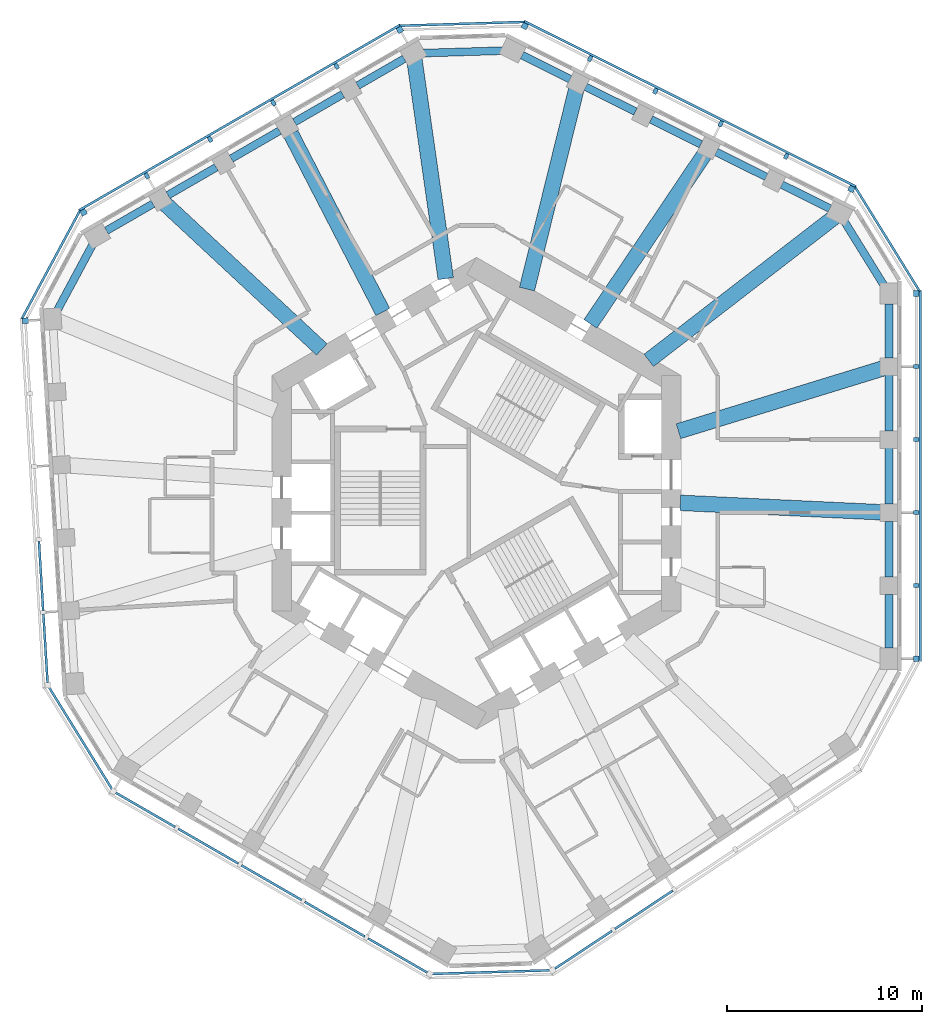
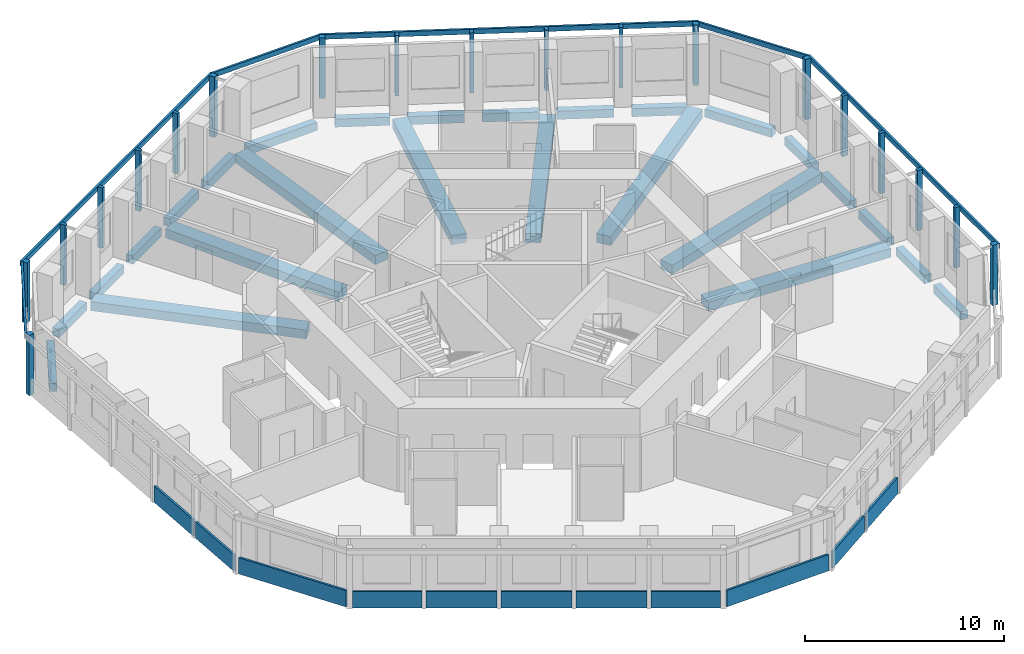
# One storey, part 2 of 11: 26 beams, 25 members, 11 plates, 11 elements without a shape of their own.
"""IFC4 building model written with IfcOpenShell, lengths in metres."""

from ifc_helpers import new_model, si_unit, direction, frame, origin, origin_2d, place, context, subcontext, project, spatial, rectangle, extrude, material, layer, layer_set, material_profile, profile_set, type_object, element, aggregate, save


model = new_model("IFC4")

# Units and contexts
model_context = context("Model", 3, precision=1e-05, world=origin(), true_north=direction((0.0, 1.0)))
body_context = subcontext(model_context, "Body", "Model", "MODEL_VIEW")
ifc_project = project(units=[si_unit("LENGTHUNIT", "METRE"), si_unit("AREAUNIT", "SQUARE_METRE"), si_unit("VOLUMEUNIT", "CUBIC_METRE"), si_unit("PLANEANGLEUNIT", "RADIAN"), si_unit("MASSUNIT", "GRAM", prefix="KILO")], contexts=[model_context])

# Site, building, storey
site_placement = place(None, origin())
site = spatial("IfcSite", under=ifc_project, at=site_placement, CompositionType="ELEMENT")
building_placement = place(site_placement, origin())
building = spatial("IfcBuilding", under=site, at=building_placement, Name="Vanh Sen Convention Tower", CompositionType="ELEMENT")
storey_placement = place(building_placement, frame((0.0, 0.0, 202.10009765625)))
storey = spatial("IfcBuildingStorey", under=building, at=storey_placement, Name="L50", CompositionType="ELEMENT", Elevation=202.10009765625)

# Curtain wall, members
ifc_material_1 = material(Name="Concrete C50/60", Category="concrete")
curtain_wall_type = type_object("IfcCurtainWallType", Name="Outer skin office zone", PredefinedType="NOTDEFINED", material=ifc_material_1)
curtain_wall_1_placement = place(storey_placement, origin())
curtain_wall_1 = element("IfcCurtainWall", 1, at=curtain_wall_1_placement, inside=storey, type_object=curtain_wall_type, Name="OUTER SKIN E L50", PredefinedType="NOTDEFINED")
ifc_material_profile_1 = material_profile(ifc_material_1, rectangle(XDim=0.300048828125, YDim=0.300048828125, at=origin_2d()), Name="Outer skin precast corner fin 300 x 300")
ifc_profile_set_1 = profile_set([ifc_material_profile_1], Name="Concrete C50/60")
member_type_1 = type_object("IfcMemberType", Name="Outer skin precast corner fin 300 x 300", PredefinedType="MULLION", material=ifc_profile_set_1)
member_1_placement = place(storey_placement, frame((22.60009765625, -8.5009765625, 0.0), z_axis=(0.0, 0.0, 1.0), x_axis=(0.0, 1.0, 0.0)))
member_1 = element("IfcMember", 2, at=member_1_placement, type_object=member_type_1, Name="OUTER SKIN CORNER FIN 1 E L50", PredefinedType="MULLION", context=body_context, shape_type="SweptSolid", body=[
    extrude(rectangle(XDim=0.300048828125, YDim=0.300048828125, at=origin_2d()), origin(), (0.0, 0.0, 1.0), 3.699951171875),
])
member_2_placement = place(storey_placement, frame((22.60009765625, 10.26953125, 0.0), z_axis=(0.0, 0.0, 1.0), x_axis=(0.0, 1.0, 0.0)))
member_2 = element("IfcMember", 3, at=member_2_placement, type_object=member_type_1, Name="OUTER SKIN CORNER FIN 6 E L50", PredefinedType="MULLION", context=body_context, shape_type="SweptSolid", body=[
    extrude(rectangle(XDim=0.300048828125, YDim=0.300048828125, at=origin_2d()), origin(), (0.0, 0.0, 1.0), 3.699951171875),
])

curtain_wall_2_placement = place(storey_placement, origin())
curtain_wall_2 = element("IfcCurtainWall", 4, at=curtain_wall_2_placement, inside=storey, type_object=curtain_wall_type, Name="OUTER SKIN NE L50", PredefinedType="NOTDEFINED")
member_3_placement = place(storey_placement, frame((19.274658203125, 15.643310546875, 0.0), z_axis=(0.0, 0.0, 1.0), x_axis=(-0.894934361602, 0.44619781311, 0.0)))
member_3 = element("IfcMember", 5, at=member_3_placement, type_object=member_type_1, Name="OUTER SKIN CORNER FIN 1 NE L50", PredefinedType="MULLION", context=body_context, shape_type="SweptSolid", body=[
    extrude(rectangle(XDim=0.300048828125, YDim=0.300048828125, at=origin_2d()), origin(), (0.0, 0.0, 1.0), 3.699951171875),
])
member_4_placement = place(storey_placement, frame((2.476318359375, 24.0185546875, 0.0), z_axis=(0.0, 0.0, 1.0), x_axis=(-0.894934361602, 0.44619781311, 0.0)))
member_4 = element("IfcMember", 6, at=member_4_placement, type_object=member_type_1, Name="OUTER SKIN CORNER FIN 6 NE L50", PredefinedType="MULLION", context=body_context, shape_type="SweptSolid", body=[
    extrude(rectangle(XDim=0.300048828125, YDim=0.300048828125, at=origin_2d()), origin(), (0.0, 0.0, 1.0), 3.699951171875),
])

curtain_wall_3_placement = place(storey_placement, origin())
curtain_wall_3 = element("IfcCurtainWall", 7, at=curtain_wall_3_placement, inside=storey, type_object=curtain_wall_type, Name="OUTER SKIN NW L50", PredefinedType="NOTDEFINED")
member_5_placement = place(storey_placement, frame((-3.93798828125, 23.822509765625, 0.0), z_axis=(0.0, 0.0, 1.0), x_axis=(-0.866025403784, -0.5, 0.0)))
member_5 = element("IfcMember", 8, at=member_5_placement, type_object=member_type_1, Name="OUTER SKIN CORNER FIN 1 NW L50", PredefinedType="MULLION", context=body_context, shape_type="SweptSolid", body=[
    extrude(rectangle(XDim=0.300048828125, YDim=0.300048828125, at=origin_2d()), origin(), (0.0, 0.0, 1.0), 3.699951171875),
])
member_6_placement = place(storey_placement, frame((-20.193603515625, 14.4375, 0.0), z_axis=(0.0, 0.0, 1.0), x_axis=(-0.866025403784, -0.5, 0.0)))
member_6 = element("IfcMember", 9, at=member_6_placement, type_object=member_type_1, Name="OUTER SKIN CORNER FIN 6 NW L50", PredefinedType="MULLION", context=body_context, shape_type="SweptSolid", body=[
    extrude(rectangle(XDim=0.300048828125, YDim=0.300048828125, at=origin_2d()), origin(), (0.0, 0.0, 1.0), 3.699951171875),
])

# Curtain wall, member
curtain_wall_4_placement = place(storey_placement, origin())
curtain_wall_4 = element("IfcCurtainWall", 10, at=curtain_wall_4_placement, inside=storey, type_object=curtain_wall_type, Name="OUTER SKIN W L50", PredefinedType="NOTDEFINED")
member_7_placement = place(storey_placement, frame((-23.184814453125, 8.87060546875, 0.0), z_axis=(0.0, 0.0, 1.0), x_axis=(0.061048539535, -0.998134798422, 0.0)))
member_7 = element("IfcMember", 11, at=member_7_placement, type_object=member_type_1, Name="OUTER SKIN CORNER FIN 1 W L50", PredefinedType="MULLION", context=body_context, shape_type="SweptSolid", body=[
    extrude(rectangle(XDim=0.300048828125, YDim=0.300048828125, at=origin_2d()), origin(), (0.0, 0.0, 1.0), 3.699951171875),
])

# Member
ifc_material_profile_2 = material_profile(ifc_material_1, rectangle(XDim=0.199951171875, YDim=0.300048828125, at=origin_2d()), Name="Outer skin precast fin 200 x 300")
ifc_profile_set_2 = profile_set([ifc_material_profile_2], Name="Concrete C50/60")
member_type_2 = type_object("IfcMemberType", Name="Outer skin precast fin 200 x 300", PredefinedType="MULLION", material=ifc_profile_set_2)
member_8_placement = place(storey_placement, frame((22.60009765625, -4.746826171875, 0.0), z_axis=(0.0, 0.0, 1.0), x_axis=(0.0, 1.0, 0.0)))
member_8 = element("IfcMember", 12, at=member_8_placement, type_object=member_type_2, Name="OUTER SKIN fin 2 E L50", PredefinedType="MULLION", context=body_context, shape_type="SweptSolid", body=[
    extrude(rectangle(XDim=0.199951171875, YDim=0.300048828125, at=origin_2d()), origin(), (0.0, 0.0, 1.0), 3.699951171875),
])

member_9_placement = place(storey_placement, frame((22.60009765625, -0.992919921875, 0.0), z_axis=(0.0, 0.0, 1.0), x_axis=(0.0, 1.0, 0.0)))
member_9 = element("IfcMember", 13, at=member_9_placement, type_object=member_type_2, Name="OUTER SKIN fin 3 E L50", PredefinedType="MULLION", context=body_context, shape_type="SweptSolid", body=[
    extrude(rectangle(XDim=0.199951171875, YDim=0.300048828125, at=origin_2d()), origin(), (0.0, 0.0, 1.0), 3.699951171875),
])

member_10_placement = place(storey_placement, frame((22.60009765625, 2.76123046875, 0.0), z_axis=(0.0, 0.0, 1.0), x_axis=(0.0, 1.0, 0.0)))
member_10 = element("IfcMember", 14, at=member_10_placement, type_object=member_type_2, Name="OUTER SKIN fin 4 E L50", PredefinedType="MULLION", context=body_context, shape_type="SweptSolid", body=[
    extrude(rectangle(XDim=0.199951171875, YDim=0.300048828125, at=origin_2d()), origin(), (0.0, 0.0, 1.0), 3.699951171875),
])

member_11_placement = place(storey_placement, frame((22.60009765625, 6.515380859375, 0.0), z_axis=(0.0, 0.0, 1.0), x_axis=(0.0, 1.0, 0.0)))
member_11 = element("IfcMember", 15, at=member_11_placement, type_object=member_type_2, Name="OUTER SKIN fin 5 E L50", PredefinedType="MULLION", context=body_context, shape_type="SweptSolid", body=[
    extrude(rectangle(XDim=0.199951171875, YDim=0.300048828125, at=origin_2d()), origin(), (0.0, 0.0, 1.0), 3.699951171875),
])

member_12_placement = place(storey_placement, frame((15.9150390625, 17.318359375, 0.0), z_axis=(0.0, 0.0, 1.0), x_axis=(-0.894934361602, 0.44619781311, 0.0)))
member_12 = element("IfcMember", 16, at=member_12_placement, type_object=member_type_2, Name="OUTER SKIN fin 2 NE L50", PredefinedType="MULLION", context=body_context, shape_type="SweptSolid", body=[
    extrude(rectangle(XDim=0.199951171875, YDim=0.300048828125, at=origin_2d()), origin(), (0.0, 0.0, 1.0), 3.699951171875),
])

member_13_placement = place(storey_placement, frame((12.555419921875, 18.993408203125, 0.0), z_axis=(0.0, 0.0, 1.0), x_axis=(-0.894934361602, 0.44619781311, 0.0)))
member_13 = element("IfcMember", 17, at=member_13_placement, type_object=member_type_2, Name="OUTER SKIN fin 3 NE L50", PredefinedType="MULLION", context=body_context, shape_type="SweptSolid", body=[
    extrude(rectangle(XDim=0.199951171875, YDim=0.300048828125, at=origin_2d()), origin(), (0.0, 0.0, 1.0), 3.699951171875),
])

member_14_placement = place(storey_placement, frame((9.195556640625, 20.66845703125, 0.0), z_axis=(0.0, 0.0, 1.0), x_axis=(-0.894934361602, 0.44619781311, 0.0)))
member_14 = element("IfcMember", 18, at=member_14_placement, type_object=member_type_2, Name="OUTER SKIN fin 4 NE L50", PredefinedType="MULLION", context=body_context, shape_type="SweptSolid", body=[
    extrude(rectangle(XDim=0.199951171875, YDim=0.300048828125, at=origin_2d()), origin(), (0.0, 0.0, 1.0), 3.699951171875),
])

member_15_placement = place(storey_placement, frame((5.8359375, 22.343505859375, 0.0), z_axis=(0.0, 0.0, 1.0), x_axis=(-0.894934361602, 0.44619781311, 0.0)))
member_15 = element("IfcMember", 19, at=member_15_placement, type_object=member_type_2, Name="OUTER SKIN fin 5 NE L50", PredefinedType="MULLION", context=body_context, shape_type="SweptSolid", body=[
    extrude(rectangle(XDim=0.199951171875, YDim=0.300048828125, at=origin_2d()), origin(), (0.0, 0.0, 1.0), 3.699951171875),
])

member_16_placement = place(storey_placement, frame((-7.189208984375, 21.945556640625, 0.0), z_axis=(0.0, 0.0, 1.0), x_axis=(-0.866025403784, -0.5, 0.0)))
member_16 = element("IfcMember", 20, at=member_16_placement, type_object=member_type_2, Name="OUTER SKIN fin 2 NW L50", PredefinedType="MULLION", context=body_context, shape_type="SweptSolid", body=[
    extrude(rectangle(XDim=0.199951171875, YDim=0.300048828125, at=origin_2d()), origin(), (0.0, 0.0, 1.0), 3.699951171875),
])

member_17_placement = place(storey_placement, frame((-10.440185546875, 20.068603515625, 0.0), z_axis=(0.0, 0.0, 1.0), x_axis=(-0.866025403784, -0.5, 0.0)))
member_17 = element("IfcMember", 21, at=member_17_placement, type_object=member_type_2, Name="OUTER SKIN fin 3 NW L50", PredefinedType="MULLION", context=body_context, shape_type="SweptSolid", body=[
    extrude(rectangle(XDim=0.199951171875, YDim=0.300048828125, at=origin_2d()), origin(), (0.0, 0.0, 1.0), 3.699951171875),
])

member_18_placement = place(storey_placement, frame((-13.69140625, 18.19140625, 0.0), z_axis=(0.0, 0.0, 1.0), x_axis=(-0.866025403784, -0.5, 0.0)))
member_18 = element("IfcMember", 22, at=member_18_placement, type_object=member_type_2, Name="OUTER SKIN fin 4 NW L50", PredefinedType="MULLION", context=body_context, shape_type="SweptSolid", body=[
    extrude(rectangle(XDim=0.199951171875, YDim=0.300048828125, at=origin_2d()), origin(), (0.0, 0.0, 1.0), 3.699951171875),
])

member_19_placement = place(storey_placement, frame((-16.9423828125, 16.314453125, 0.0), z_axis=(0.0, 0.0, 1.0), x_axis=(-0.866025403784, -0.5, 0.0)))
member_19 = element("IfcMember", 23, at=member_19_placement, type_object=member_type_2, Name="OUTER SKIN fin 5 NW L50", PredefinedType="MULLION", context=body_context, shape_type="SweptSolid", body=[
    extrude(rectangle(XDim=0.199951171875, YDim=0.300048828125, at=origin_2d()), origin(), (0.0, 0.0, 1.0), 3.699951171875),
])

ifc_material_profile_3 = material_profile(ifc_material_1, rectangle(XDim=0.1201171875, YDim=0.300048828125, at=origin_2d()), Name="Outer skin precast spandrel band 300 x 120")
ifc_profile_set_3 = profile_set([ifc_material_profile_3], Name="Concrete C50/60")
member_type_3 = type_object("IfcMemberType", Name="Outer skin precast spandrel band 300 x 120", PredefinedType="USERDEFINED", material=ifc_profile_set_3)
member_20_placement = place(storey_placement, frame((22.81005859375, -8.65087890625, 3.5498046875), z_axis=(0.0, 1.0, 0.0), x_axis=(-1.0, 0.0, 0.0)))
member_20 = element("IfcMember", 24, at=member_20_placement, type_object=member_type_3, Name="OUTER SKIN spandrel band E L50", ObjectType="TRANSOM", PredefinedType="USERDEFINED", context=body_context, shape_type="SweptSolid", body=[
    extrude(rectangle(XDim=0.1201171875, YDim=0.300048828125, at=origin_2d()), origin(), (0.0, 0.0, 1.0), 19.0703125),
])

aggregate(curtain_wall_1, [member_1, member_8, member_9, member_10, member_11, member_2, member_20])

# Curtain wall, member
curtain_wall_5_placement = place(storey_placement, origin())
curtain_wall_5 = element("IfcCurtainWall", 25, at=curtain_wall_5_placement, inside=storey, type_object=curtain_wall_type, Name="OUTER SKIN CH1 L50", PredefinedType="NOTDEFINED")
member_21_placement = place(storey_placement, frame((22.778564453125, 10.3798828125, 3.5498046875), z_axis=(-0.526173726926, 0.850377098171, 0.0), x_axis=(-0.850377098171, -0.526173726926, 0.0)))
member_21 = element("IfcMember", 26, at=member_21_placement, type_object=member_type_3, Name="OUTER SKIN spandrel band CH1 L50", ObjectType="TRANSOM", PredefinedType="USERDEFINED", context=body_context, shape_type="SweptSolid", body=[
    extrude(rectangle(XDim=0.1201171875, YDim=0.300048828125, at=origin_2d()), origin(), (0.0, 0.0, 1.0), 6.319580078125),
])
aggregate(curtain_wall_5, [member_21])

# Member
member_22_placement = place(storey_placement, frame((19.502685546875, 15.764404296875, 3.5498046875), z_axis=(-0.894941234474, 0.446184027996, 0.0), x_axis=(-0.446184027996, -0.894941234474, 0.0)))
member_22 = element("IfcMember", 27, at=member_22_placement, type_object=member_type_3, Name="OUTER SKIN spandrel band NE L50", ObjectType="TRANSOM", PredefinedType="USERDEFINED", context=body_context, shape_type="SweptSolid", body=[
    extrude(rectangle(XDim=0.1201171875, YDim=0.300048828125, at=origin_2d()), origin(), (0.0, 0.0, 1.0), 19.07080078125),
])

aggregate(curtain_wall_2, [member_3, member_12, member_13, member_14, member_15, member_4, member_22])

# Curtain wall, member
curtain_wall_6_placement = place(storey_placement, origin())
curtain_wall_6 = element("IfcCurtainWall", 28, at=curtain_wall_6_placement, inside=storey, type_object=curtain_wall_type, Name="OUTER SKIN CH2 L50", PredefinedType="NOTDEFINED")
member_23_placement = place(storey_placement, frame((2.4697265625, 24.228515625, 3.5498046875), z_axis=(-0.999533221695, -0.030550592913, 0.0), x_axis=(0.030550592913, -0.999533221695, 0.0)))
member_23 = element("IfcMember", 29, at=member_23_placement, type_object=member_type_3, Name="OUTER SKIN spandrel band CH2 L50", ObjectType="TRANSOM", PredefinedType="USERDEFINED", context=body_context, shape_type="SweptSolid", body=[
    extrude(rectangle(XDim=0.1201171875, YDim=0.300048828125, at=origin_2d()), origin(), (0.0, 0.0, 1.0), 6.4169921875),
])
aggregate(curtain_wall_6, [member_23])

# Member
member_24_placement = place(storey_placement, frame((-3.9130859375, 24.07958984375, 3.5498046875), z_axis=(-0.866023136587, -0.500003926881, 0.0), x_axis=(0.500003926881, -0.866023136587, 0.0)))
member_24 = element("IfcMember", 30, at=member_24_placement, type_object=member_type_3, Name="OUTER SKIN spandrel band NW L50", ObjectType="TRANSOM", PredefinedType="USERDEFINED", context=body_context, shape_type="SweptSolid", body=[
    extrude(rectangle(XDim=0.1201171875, YDim=0.300048828125, at=origin_2d()), origin(), (0.0, 0.0, 1.0), 19.070556640625),
])

aggregate(curtain_wall_3, [member_5, member_16, member_17, member_18, member_19, member_6, member_24])

# Curtain wall, member
curtain_wall_7_placement = place(storey_placement, origin())
curtain_wall_7 = element("IfcCurtainWall", 31, at=curtain_wall_7_placement, inside=storey, type_object=curtain_wall_type, Name="OUTER SKIN CH3 L50", PredefinedType="NOTDEFINED")
member_25_placement = place(storey_placement, frame((-20.378662109375, 14.536865234375, 3.5498046875), z_axis=(-0.47333707755, -0.880881383057, 0.0), x_axis=(0.880881383057, -0.47333707755, 0.0)))
member_25 = element("IfcMember", 32, at=member_25_placement, type_object=member_type_3, Name="OUTER SKIN spandrel band CH3 L50", ObjectType="TRANSOM", PredefinedType="USERDEFINED", context=body_context, shape_type="SweptSolid", body=[
    extrude(rectangle(XDim=0.1201171875, YDim=0.300048828125, at=origin_2d()), origin(), (0.0, 0.0, 1.0), 6.3193359375),
])
aggregate(curtain_wall_7, [member_25])

# Beams
ifc_material_2 = material(Name="Concrete C50/60", Category="concrete")
ifc_material_profile_4 = material_profile(ifc_material_2, rectangle(XDim=0.800048828125, YDim=0.550048828125, at=origin_2d()), Name="RC 800X550")
ifc_profile_set_4 = profile_set([ifc_material_profile_4], Name="Concrete C50/60")
beam_type_1 = type_object("IfcBeamType", Name="Radial floor beam 800 x 550", PredefinedType="BEAM", material=ifc_profile_set_4)
beam_1_placement = place(storey_placement, frame((20.773681640625, -0.972900390625, -0.55517578125), z_axis=(-0.998904385593, 0.046797739721, 0.0), x_axis=(-0.046797739721, -0.998904385593, 0.0)))
element("IfcBeam", 33, at=beam_1_placement, inside=storey, type_object=beam_type_1, Name="Radial beam 02 L50", PredefinedType="BEAM", context=body_context, shape_type="SweptSolid", body=[
    extrude(rectangle(XDim=0.800048828125, YDim=0.550048828125, at=origin_2d()), origin(), (0.0, 0.0, 1.0), 10.30859375),
])
beam_2_placement = place(storey_placement, frame((20.984619140625, 6.44921875, -0.55517578125), z_axis=(-0.955877901986, -0.293764253264, 0.0), x_axis=(0.293764253264, -0.955877901986, 0.0)))
element("IfcBeam", 34, at=beam_2_placement, inside=storey, type_object=beam_type_1, Name="Radial beam 03 L50", PredefinedType="BEAM", context=body_context, shape_type="SweptSolid", body=[
    extrude(rectangle(XDim=0.800048828125, YDim=0.550048828125, at=origin_2d()), origin(), (0.0, 0.0, 1.0), 11.096435546875),
])
beam_3_placement = place(storey_placement, frame((18.41162109375, 14.206298828125, -0.55517578125), z_axis=(-0.791722449679, -0.610880972591, 0.0), x_axis=(0.610880972591, -0.791722449679, 0.0)))
element("IfcBeam", 35, at=beam_3_placement, inside=storey, type_object=beam_type_1, Name="Radial beam 04 L50", PredefinedType="BEAM", context=body_context, shape_type="SweptSolid", body=[
    extrude(rectangle(XDim=0.800048828125, YDim=0.550048828125, at=origin_2d()), origin(), (0.0, 0.0, 1.0), 12.072021484375),
])
beam_4_placement = place(storey_placement, frame((11.709228515625, 17.411376953125, -0.55517578125), z_axis=(-0.55804705103, -0.829809308719, 0.0), x_axis=(0.829809308719, -0.55804705103, 0.0)))
element("IfcBeam", 36, at=beam_4_placement, inside=storey, type_object=beam_type_1, Name="Radial beam 05 L50", PredefinedType="BEAM", context=body_context, shape_type="SweptSolid", body=[
    extrude(rectangle(XDim=0.800048828125, YDim=0.550048828125, at=origin_2d()), origin(), (0.0, 0.0, 1.0), 10.490234375),
])
beam_5_placement = place(storey_placement, frame((5.14697265625, 20.83056640625, -0.55517578125), z_axis=(-0.239880379488, -0.970802453405, 0.0), x_axis=(0.970802453405, -0.239880379488, 0.0)))
element("IfcBeam", 37, at=beam_5_placement, inside=storey, type_object=beam_type_1, Name="Radial beam 06 L50", PredefinedType="BEAM", context=body_context, shape_type="SweptSolid", body=[
    extrude(rectangle(XDim=0.800048828125, YDim=0.550048828125, at=origin_2d()), origin(), (0.0, 0.0, 1.0), 10.647705078125),
])
beam_6_placement = place(storey_placement, frame((-3.192626953125, 22.2939453125, -0.55517578125), z_axis=(0.141775948022, -0.989898772887, 0.0), x_axis=(0.989898772887, 0.141775948022, 0.0)))
element("IfcBeam", 38, at=beam_6_placement, inside=storey, type_object=beam_type_1, Name="Radial beam 07 L50", PredefinedType="BEAM", context=body_context, shape_type="SweptSolid", body=[
    extrude(rectangle(XDim=0.800048828125, YDim=0.550048828125, at=origin_2d()), origin(), (0.0, 0.0, 1.0), 11.3740234375),
])
beam_7_placement = place(storey_placement, frame((-9.544189453125, 18.476806640625, -0.55517578125), z_axis=(0.458940914306, -0.888466790137, 0.0), x_axis=(0.888466790137, 0.458940914306, 0.0)))
element("IfcBeam", 39, at=beam_7_placement, inside=storey, type_object=beam_type_1, Name="Radial beam 08 L50", PredefinedType="BEAM", context=body_context, shape_type="SweptSolid", body=[
    extrude(rectangle(XDim=0.800048828125, YDim=0.550048828125, at=origin_2d()), origin(), (0.0, 0.0, 1.0), 10.308349609375),
])
beam_8_placement = place(storey_placement, frame((-16.077392578125, 14.948486328125, -0.55517578125), z_axis=(0.732348237662, -0.680930289232, 0.0), x_axis=(0.680930289232, 0.732348237662, 0.0)))
element("IfcBeam", 40, at=beam_8_placement, inside=storey, type_object=beam_type_1, Name="Radial beam 09 L50", PredefinedType="BEAM", context=body_context, shape_type="SweptSolid", body=[
    extrude(rectangle(XDim=0.800048828125, YDim=0.550048828125, at=origin_2d()), origin(), (0.0, 0.0, 1.0), 11.096435546875),
])
ifc_material_profile_5 = material_profile(ifc_material_2, rectangle(XDim=0.39990234375, YDim=0.5, at=origin_2d()), Name="RC 400X500")
ifc_profile_set_5 = profile_set([ifc_material_profile_5], Name="Concrete C50/60")
beam_type_2 = type_object("IfcBeamType", Name="Spandrel beam 400 x 500", PredefinedType="SPANDREL", material=ifc_profile_set_5)
beam_9_placement = place(storey_placement, frame((21.199951171875, -7.9560546875, -0.530029296875), z_axis=(0.0, 1.0, 0.0), x_axis=(-1.0, 0.0, 0.0)))
element("IfcBeam", 41, at=beam_9_placement, inside=storey, type_object=beam_type_2, Name="Spandrel beam 01 L50", PredefinedType="SPANDREL", context=body_context, shape_type="SweptSolid", body=[
    extrude(rectangle(XDim=0.39990234375, YDim=0.5, at=origin_2d()), origin(), (0.0, 0.0, 1.0), 2.76416015625),
])
for number, where, z_axis, x_axis, name in (
    (42, (21.199951171875, -4.302001953125, -0.530029296875), (0.0, 1.0, 0.0), (-1.0, 0.0, 0.0), "Spandrel beam 02 L50"),
    (43, (21.199951171875, -0.5478515625, -0.530029296875), (0.0, 1.0, 0.0), (-1.0, 0.0, 0.0), "Spandrel beam 03 L50"),
):
    element("IfcBeam", number, at=place(storey_placement, frame(where, z_axis=z_axis, x_axis=x_axis)), inside=storey, type_object=beam_type_2, Name=name, PredefinedType="SPANDREL", context=body_context, shape_type="SweptSolid", body=[
        extrude(rectangle(XDim=0.39990234375, YDim=0.5, at=origin_2d()), origin(), (0.0, 0.0, 1.0), 2.8642578125),
    ])
beam_10_placement = place(storey_placement, frame((21.199951171875, 3.206298828125, -0.530029296875), z_axis=(0.0, 1.0, 0.0), x_axis=(-1.0, 0.0, 0.0)))
element("IfcBeam", 44, at=beam_10_placement, inside=storey, type_object=beam_type_2, Name="Spandrel beam 04 L50", PredefinedType="SPANDREL", context=body_context, shape_type="SweptSolid", body=[
    extrude(rectangle(XDim=0.39990234375, YDim=0.5, at=origin_2d()), origin(), (0.0, 0.0, 1.0), 2.864013671875),
])
beam_11_placement = place(storey_placement, frame((21.199951171875, 6.96044921875, -0.530029296875), z_axis=(0.0, 1.0, 0.0), x_axis=(-1.0, 0.0, 0.0)))
element("IfcBeam", 45, at=beam_11_placement, inside=storey, type_object=beam_type_2, Name="Spandrel beam 05 L50", PredefinedType="SPANDREL", context=body_context, shape_type="SweptSolid", body=[
    extrude(rectangle(XDim=0.39990234375, YDim=0.5, at=origin_2d()), origin(), (0.0, 0.0, 1.0), 2.76416015625),
])
beam_12_placement = place(storey_placement, frame((20.927490234375, 10.7099609375, -0.530029296875), z_axis=(-0.526197985388, 0.850362087686, 0.0), x_axis=(-0.850362087686, -0.526197985388, 0.0)))
element("IfcBeam", 46, at=beam_12_placement, inside=storey, type_object=beam_type_2, Name="Spandrel beam 06 L50", PredefinedType="SPANDREL", context=body_context, shape_type="SweptSolid", body=[
    extrude(rectangle(XDim=0.39990234375, YDim=0.5, at=origin_2d()), origin(), (0.0, 0.0, 1.0), 3.81005859375),
])
beam_13_placement = place(storey_placement, frame((18.162353515625, 14.633544921875, -0.530029296875), z_axis=(-0.894938855842, 0.446188798945, 0.0), x_axis=(-0.446188798945, -0.894938855842, 0.0)))
element("IfcBeam", 47, at=beam_13_placement, inside=storey, type_object=beam_type_2, Name="Spandrel beam 07 L50", PredefinedType="SPANDREL", context=body_context, shape_type="SweptSolid", body=[
    extrude(rectangle(XDim=0.39990234375, YDim=0.5, at=origin_2d()), origin(), (0.0, 0.0, 1.0), 2.764404296875),
])
for number, where, z_axis, x_axis, name in (
    (48, (14.89208984375, 16.263916015625, -0.530029296875), (-0.894921028884, 0.446224553406, 0.0), (-0.446224553406, -0.894921028884, 0.0), "Spandrel beam 08 L50"),
    (49, (11.532470703125, 17.939208984375, -0.530029296875), (-0.894972032358, 0.446122249273, 0.0), (-0.446122249273, -0.894972032358, 0.0), "Spandrel beam 09 L50"),
):
    element("IfcBeam", number, at=place(storey_placement, frame(where, z_axis=z_axis, x_axis=x_axis)), inside=storey, type_object=beam_type_2, Name=name, PredefinedType="SPANDREL", context=body_context, shape_type="SweptSolid", body=[
        extrude(rectangle(XDim=0.39990234375, YDim=0.5, at=origin_2d()), origin(), (0.0, 0.0, 1.0), 2.8642578125),
    ])
beam_14_placement = place(storey_placement, frame((8.172607421875, 19.6142578125, -0.530029296875), z_axis=(-0.89495506643, 0.446156283236, 0.0), x_axis=(-0.446156283236, -0.89495506643, 0.0)))
element("IfcBeam", 50, at=beam_14_placement, inside=storey, type_object=beam_type_2, Name="Spandrel beam 10 L50", PredefinedType="SPANDREL", context=body_context, shape_type="SweptSolid", body=[
    extrude(rectangle(XDim=0.39990234375, YDim=0.5, at=origin_2d()), origin(), (0.0, 0.0, 1.0), 2.864013671875),
])
beam_15_placement = place(storey_placement, frame((4.81298828125, 21.289306640625, -0.530029296875), z_axis=(-0.894974121341, 0.446118058511, 0.0), x_axis=(-0.446118058511, -0.894974121341, 0.0)))
element("IfcBeam", 51, at=beam_15_placement, inside=storey, type_object=beam_type_2, Name="Spandrel beam 11 L50", PredefinedType="SPANDREL", context=body_context, shape_type="SweptSolid", body=[
    extrude(rectangle(XDim=0.39990234375, YDim=0.5, at=origin_2d()), origin(), (0.0, 0.0, 1.0), 2.76416015625),
])
beam_16_placement = place(storey_placement, frame((1.33984375, 22.75, -0.530029296875), z_axis=(-0.999533327508, -0.030547130814, 0.0), x_axis=(0.030547130814, -0.999533327508, 0.0)))
element("IfcBeam", 52, at=beam_16_placement, inside=storey, type_object=beam_type_2, Name="Spandrel beam 12 L50", PredefinedType="SPANDREL", context=body_context, shape_type="SweptSolid", body=[
    extrude(rectangle(XDim=0.39990234375, YDim=0.5, at=origin_2d()), origin(), (0.0, 0.0, 1.0), 4.068115234375),
])
beam_17_placement = place(storey_placement, frame((-3.7099609375, 22.337646484375, -0.530029296875), z_axis=(-0.866060565847, -0.499939092575, 0.0), x_axis=(0.499939092575, -0.866060565847, 0.0)))
element("IfcBeam", 53, at=beam_17_placement, inside=storey, type_object=beam_type_2, Name="Spandrel beam 13 L50", PredefinedType="SPANDREL", context=body_context, shape_type="SweptSolid", body=[
    extrude(rectangle(XDim=0.39990234375, YDim=0.5, at=origin_2d()), origin(), (0.0, 0.0, 1.0), 2.763916015625),
])
for number, where, z_axis, x_axis, name in (
    (54, (-6.87451171875, 20.5107421875, -0.530029296875), (-0.865999615357, -0.500044664207, 0.0), (0.500044664207, -0.865999615357, 0.0), "Spandrel beam 14 L50"),
    (55, (-10.12548828125, 18.633544921875, -0.530029296875), (-0.8660578368, -0.499943820161, 0.0), (0.499943820161, -0.8660578368, 0.0), "Spandrel beam 15 L50"),
):
    element("IfcBeam", number, at=place(storey_placement, frame(where, z_axis=z_axis, x_axis=x_axis)), inside=storey, type_object=beam_type_2, Name=name, PredefinedType="SPANDREL", context=body_context, shape_type="SweptSolid", body=[
        extrude(rectangle(XDim=0.39990234375, YDim=0.5, at=origin_2d()), origin(), (0.0, 0.0, 1.0), 2.864013671875),
    ])
beam_18_placement = place(storey_placement, frame((-13.376708984375, 16.756591796875, -0.530029296875), z_axis=(-0.866020927947, -0.500007752297, 0.0), x_axis=(0.500007752297, -0.866020927947, 0.0)))
element("IfcBeam", 56, at=beam_18_placement, inside=storey, type_object=beam_type_2, Name="Spandrel beam 16 L50", PredefinedType="SPANDREL", context=body_context, shape_type="SweptSolid", body=[
    extrude(rectangle(XDim=0.39990234375, YDim=0.5, at=origin_2d()), origin(), (0.0, 0.0, 1.0), 2.8642578125),
])
beam_19_placement = place(storey_placement, frame((-16.6279296875, 14.87939453125, -0.530029296875), z_axis=(-0.866060565847, -0.499939092575, 0.0), x_axis=(0.499939092575, -0.866060565847, 0.0)))
element("IfcBeam", 57, at=beam_19_placement, inside=storey, type_object=beam_type_2, Name="Spandrel beam 17 L50", PredefinedType="SPANDREL", context=body_context, shape_type="SweptSolid", body=[
    extrude(rectangle(XDim=0.39990234375, YDim=0.5, at=origin_2d()), origin(), (0.0, 0.0, 1.0), 2.763916015625),
])
beam_20_placement = place(storey_placement, frame((-19.739013671875, 12.768798828125, -0.530029296875), z_axis=(-0.473293335868, -0.880904886025, 0.0), x_axis=(0.880904886025, -0.473293335868, 0.0)))
element("IfcBeam", 58, at=beam_20_placement, inside=storey, type_object=beam_type_2, Name="Spandrel beam 18 L50", PredefinedType="SPANDREL", context=body_context, shape_type="SweptSolid", body=[
    extrude(rectangle(XDim=0.39990234375, YDim=0.5, at=origin_2d()), origin(), (0.0, 0.0, 1.0), 3.81005859375),
])

# Plate
ifc_layer = layer(ifc_material_1, 0.1201171875)
ifc_layer_set = layer_set([ifc_layer], Name="Concrete C50/60")
plate_type = type_object("IfcPlateType", Name="Outer skin precast screen panel 120", PredefinedType="CURTAIN_PANEL", material=ifc_layer_set)
plate_1_placement = place(storey_placement, frame((-22.382568359375, -4.244140625, 0.0), z_axis=(0.0, 0.0, 1.0), x_axis=(0.061025892559, -0.998136183312, 0.0)))
plate_1 = element("IfcPlate", 59, at=plate_1_placement, type_object=plate_type, Name="OUTER SKIN screen panel W-4", PredefinedType="CURTAIN_PANEL", context=body_context, shape_type="SweptSolid", body=[
    extrude(rectangle(XDim=3.55419921875, YDim=0.1201171875, at=origin_2d()), origin(), (0.0, 0.0, 1.0), 1.0),
])

plate_2_placement = place(storey_placement, frame((-22.155029296875, -7.96630859375, 0.0), z_axis=(0.0, 0.0, 1.0), x_axis=(0.061053765756, -0.998134478759, 0.0)))
plate_2 = element("IfcPlate", 60, at=plate_2_placement, type_object=plate_type, Name="OUTER SKIN screen panel W-5", PredefinedType="CURTAIN_PANEL", context=body_context, shape_type="SweptSolid", body=[
    extrude(rectangle(XDim=3.504150390625, YDim=0.1201171875, at=origin_2d()), origin(), (0.0, 0.0, 1.0), 1.0),
])

aggregate(curtain_wall_4, [member_7, plate_1, plate_2])

# Curtain wall, plate
curtain_wall_8_placement = place(storey_placement, origin())
curtain_wall_8 = element("IfcCurtainWall", 61, at=curtain_wall_8_placement, inside=storey, type_object=curtain_wall_type, Name="OUTER SKIN CH4 L50", PredefinedType="NOTDEFINED")
plate_3_placement = place(storey_placement, frame((-20.3505859375, -12.59326171875, 0.0), z_axis=(0.0, 0.0, 1.0), x_axis=(0.526218376078, -0.850349469734, 0.0)))
plate_3 = element("IfcPlate", 62, at=plate_3_placement, type_object=plate_type, Name="OUTER SKIN screen panel CH4-1", PredefinedType="CURTAIN_PANEL", context=body_context, shape_type="SweptSolid", body=[
    extrude(rectangle(XDim=6.1171875, YDim=0.1201171875, at=origin_2d()), origin(), (0.0, 0.0, 1.0), 1.0),
])
aggregate(curtain_wall_8, [plate_3])

# Curtain wall, plates
curtain_wall_9_placement = place(storey_placement, origin())
curtain_wall_9 = element("IfcCurtainWall", 63, at=curtain_wall_9_placement, inside=storey, type_object=curtain_wall_type, Name="OUTER SKIN SW L50", PredefinedType="NOTDEFINED")
plate_4_placement = place(storey_placement, frame((-17.014892578125, -16.272705078125, 0.0), z_axis=(0.0, 0.0, 1.0), x_axis=(0.86602365845, -0.500003022996, 0.0)))
plate_4 = element("IfcPlate", 64, at=plate_4_placement, type_object=plate_type, Name="OUTER SKIN screen panel SW-1", PredefinedType="CURTAIN_PANEL", context=body_context, shape_type="SweptSolid", body=[
    extrude(rectangle(XDim=3.504150390625, YDim=0.1201171875, at=origin_2d()), origin(), (0.0, 0.0, 1.0), 1.0),
])
plate_5_placement = place(storey_placement, frame((-13.785400390625, -18.13720703125, 0.0), z_axis=(0.0, 0.0, 1.0), x_axis=(0.866028021766, -0.499995465495, 0.0)))
plate_5 = element("IfcPlate", 65, at=plate_5_placement, type_object=plate_type, Name="OUTER SKIN screen panel SW-2", PredefinedType="CURTAIN_PANEL", context=body_context, shape_type="SweptSolid", body=[
    extrude(rectangle(XDim=3.553955078125, YDim=0.1201171875, at=origin_2d()), origin(), (0.0, 0.0, 1.0), 1.0),
])
plate_6_placement = place(storey_placement, frame((-10.5341796875, -20.014404296875, 0.0), z_axis=(0.0, 0.0, 1.0), x_axis=(0.86602365845, -0.500003022996, 0.0)))
plate_6 = element("IfcPlate", 66, at=plate_6_placement, type_object=plate_type, Name="OUTER SKIN screen panel SW-3", PredefinedType="CURTAIN_PANEL", context=body_context, shape_type="SweptSolid", body=[
    extrude(rectangle(XDim=3.55419921875, YDim=0.1201171875, at=origin_2d()), origin(), (0.0, 0.0, 1.0), 1.0),
])
plate_7_placement = place(storey_placement, frame((-7.283203125, -21.891357421875, 0.0), z_axis=(0.0, 0.0, 1.0), x_axis=(0.866016677006, -0.500015114919, 0.0)))
plate_7 = element("IfcPlate", 67, at=plate_7_placement, type_object=plate_type, Name="OUTER SKIN screen panel SW-4", PredefinedType="CURTAIN_PANEL", context=body_context, shape_type="SweptSolid", body=[
    extrude(rectangle(XDim=3.55419921875, YDim=0.1201171875, at=origin_2d()), origin(), (0.0, 0.0, 1.0), 1.0),
])
plate_8_placement = place(storey_placement, frame((-4.0537109375, -23.755859375, 0.0), z_axis=(0.0, 0.0, 1.0), x_axis=(0.866035002936, -0.499983373414, 0.0)))
plate_8 = element("IfcPlate", 68, at=plate_8_placement, type_object=plate_type, Name="OUTER SKIN screen panel SW-5", PredefinedType="CURTAIN_PANEL", context=body_context, shape_type="SweptSolid", body=[
    extrude(rectangle(XDim=3.504150390625, YDim=0.1201171875, at=origin_2d()), origin(), (0.0, 0.0, 1.0), 1.0),
])
aggregate(curtain_wall_9, [plate_4, plate_5, plate_6, plate_7, plate_8])

# Curtain wall, plate
curtain_wall_10_placement = place(storey_placement, origin())
curtain_wall_10 = element("IfcCurtainWall", 69, at=curtain_wall_10_placement, inside=storey, type_object=curtain_wall_type, Name="OUTER SKIN CH5 L50", PredefinedType="NOTDEFINED")
plate_9_placement = place(storey_placement, frame((0.751953125, -24.6103515625, 0.0), z_axis=(0.0, 0.0, 1.0), x_axis=(0.999533537535, 0.030540257725, 0.0)))
plate_9 = element("IfcPlate", 70, at=plate_9_placement, type_object=plate_type, Name="OUTER SKIN screen panel CH5-1", PredefinedType="CURTAIN_PANEL", context=body_context, shape_type="SweptSolid", body=[
    extrude(rectangle(XDim=6.019287109375, YDim=0.1201171875, at=origin_2d()), origin(), (0.0, 0.0, 1.0), 1.0),
])
aggregate(curtain_wall_10, [plate_9])

# Curtain wall, plates
curtain_wall_11_placement = place(storey_placement, origin())
curtain_wall_11 = element("IfcCurtainWall", 71, at=curtain_wall_11_placement, inside=storey, type_object=curtain_wall_type, Name="OUTER SKIN SE L50", PredefinedType="NOTDEFINED")
plate_10_placement = place(storey_placement, frame((5.49609375, -23.464111328125, 0.0), z_axis=(0.0, 0.0, 1.0), x_axis=(0.833889675294, 0.551931163677, 0.0)))
plate_10 = element("IfcPlate", 72, at=plate_10_placement, type_object=plate_type, Name="OUTER SKIN screen panel SE-1", PredefinedType="CURTAIN_PANEL", context=body_context, shape_type="SweptSolid", body=[
    extrude(rectangle(XDim=3.504150390625, YDim=0.1201171875, at=origin_2d()), origin(), (0.0, 0.0, 1.0), 1.0),
])
plate_11_placement = place(storey_placement, frame((8.60595703125, -21.406005859375, 0.0), z_axis=(0.0, 0.0, 1.0), x_axis=(0.833889675294, 0.551931163677, 0.0)))
plate_11 = element("IfcPlate", 73, at=plate_11_placement, type_object=plate_type, Name="OUTER SKIN screen panel SE-2", PredefinedType="CURTAIN_PANEL", context=body_context, shape_type="SweptSolid", body=[
    extrude(rectangle(XDim=3.55419921875, YDim=0.1201171875, at=origin_2d()), origin(), (0.0, 0.0, 1.0), 1.0),
])
aggregate(curtain_wall_11, [plate_10, plate_11])

save(model, "model.ifc")
